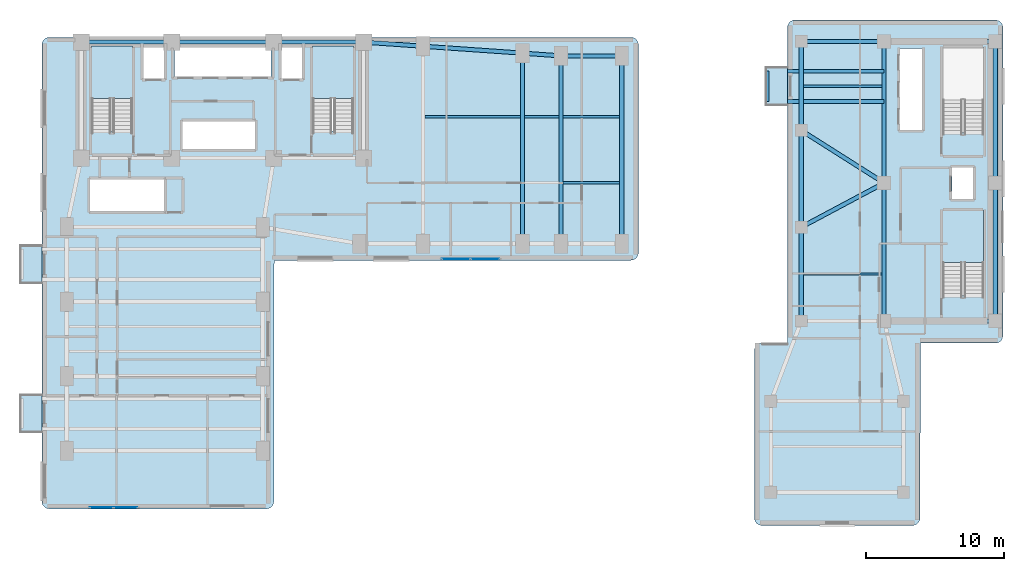
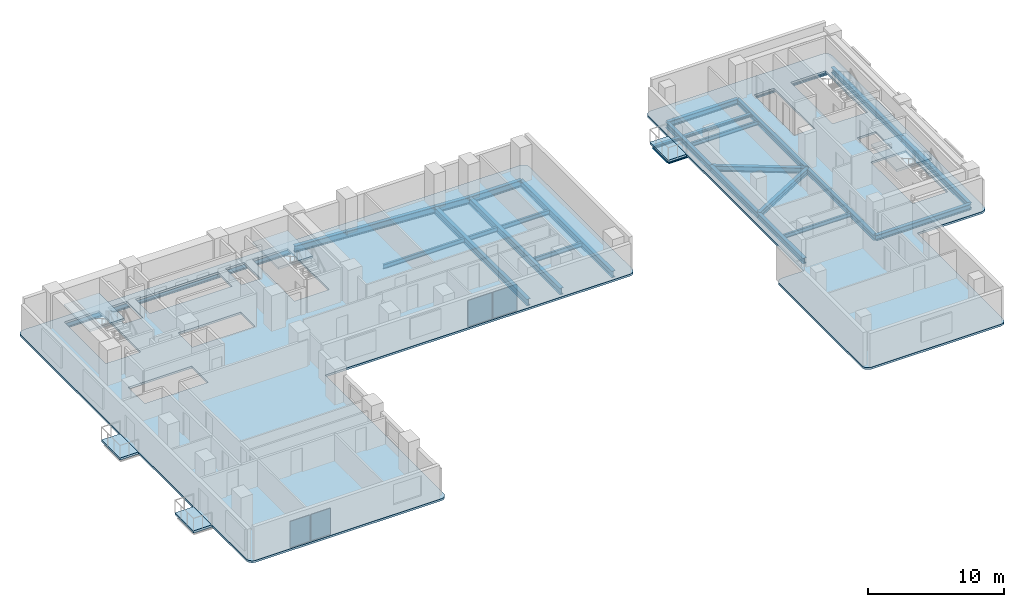
# One storey, part 7 of 15: 31 beams, 8 slabs, 4 plates, 5 elements without a shape of their own.
"""IFC4 building model written with IfcOpenShell, lengths in metres."""

import ifcopenshell
import ifcopenshell.guid

model = None  # the IFC model being written
_history = None  # IfcOwnerHistory: only IFC2X3 demands one
_inside = {}  # id of a spatial element -> (the spatial element, [elements in it])
_under = {}  # id of a project, library or spatial element -> (it, [spatial elements below it])
_declared = {}  # id of a project -> (the project, [libraries it declares])
_typed = {}  # id of a type object -> (the type object, [elements of that type])
_made_of = {}  # id of a material, layer set ... -> (it, [elements and type objects made of it])


def new_model(schema):
    """Start an empty IFC model of exactly this schema.

    Asked for "IFC4X3", IfcOpenShell would pick the latest addendum, in which some entities
    have other attributes; the version numbers below select the first issue.
    IFC2X3 requires an IfcOwnerHistory on every rooted entity: one is made here for all.
    """
    global model, _history
    if schema == "IFC4X3":
        model = ifcopenshell.file(schema_version=(4, 3, 0, 0))
    else:
        model = ifcopenshell.file(schema=schema)
    _inside.clear()
    _under.clear()
    _declared.clear()
    _typed.clear()
    _made_of.clear()
    _history = None
    if model.schema == "IFC2X3":
        org = make("IfcOrganization", Name="unknown")
        user = make(
            "IfcPersonAndOrganization",
            ThePerson=make("IfcPerson", FamilyName="unknown"),
            TheOrganization=org,
        )
        app = make(
            "IfcApplication",
            ApplicationDeveloper=org,
            Version="unknown",
            ApplicationFullName="unknown",
            ApplicationIdentifier="unknown",
        )
        _history = make(
            "IfcOwnerHistory",
            OwningUser=user,
            OwningApplication=app,
            ChangeAction="ADDED",
            CreationDate=0,
        )
    return model


def make(cls, **values):
    """One entity of the class cls with the attributes given. An attribute that is None is left unset."""
    return model.create_entity(
        cls, **{name: value for name, value in values.items() if value is not None}
    )


def rooted(cls, **values):
    """An entity with a GlobalId (a new one), such as an element, a storey or a relation."""
    return make(cls, GlobalId=ifcopenshell.guid.new(), OwnerHistory=_history, **values)


def si_unit(unit_type, name, prefix=None):
    """IfcSIUnit, for example si_unit("LENGTHUNIT", "METRE", prefix="MILLI")."""
    return make("IfcSIUnit", UnitType=unit_type, Prefix=prefix, Name=name)


def assignment(units):
    """IfcUnitAssignment: the units of a project."""
    return None if units is None else make("IfcUnitAssignment", Units=units)


def point(xyz):
    """IfcCartesianPoint."""
    return None if xyz is None else make("IfcCartesianPoint", Coordinates=xyz)


def direction(xyz):
    """IfcDirection."""
    return None if xyz is None else make("IfcDirection", DirectionRatios=xyz)


def frame(location, z_axis=None, x_axis=None):
    """IfcAxis2Placement3D, a coordinate frame: its origin and axes. An axis left out is left unset."""
    return make(
        "IfcAxis2Placement3D",
        Location=point(location),
        Axis=direction(z_axis),
        RefDirection=direction(x_axis),
    )


def frame_2d(location, x_axis=None):
    """IfcAxis2Placement2D, a coordinate frame in the plane: its origin and x axis."""
    return make(
        "IfcAxis2Placement2D", Location=point(location), RefDirection=direction(x_axis)
    )


def origin():
    """The frame at (0, 0, 0) with its axes left unset."""
    return frame((0.0, 0.0, 0.0))


def origin_2d():
    """The frame at (0, 0) in the plane with its x axis left unset."""
    return frame_2d((0.0, 0.0))


def place(relative_to, where):
    """IfcLocalPlacement: puts the frame where relative to a parent placement (None: the world)."""
    return make(
        "IfcLocalPlacement", PlacementRelTo=relative_to, RelativePlacement=where
    )


def context(
    kind, dimensions, precision=None, world=None, true_north=None, identifier=None
):
    """IfcGeometricRepresentationContext, for example the 3D "Model" context."""
    return make(
        "IfcGeometricRepresentationContext",
        ContextIdentifier=identifier,
        ContextType=kind,
        CoordinateSpaceDimension=dimensions,
        Precision=precision,
        WorldCoordinateSystem=world,
        TrueNorth=true_north,
    )


def subcontext(parent, identifier, kind, view, scale=None):
    """IfcGeometricRepresentationSubContext, for example "Body" below "Model"."""
    return make(
        "IfcGeometricRepresentationSubContext",
        ContextIdentifier=identifier,
        ContextType=kind,
        ParentContext=parent,
        TargetScale=scale,
        TargetView=view,
    )


def project(units=None, contexts=None):
    """IfcProject with its units and contexts."""
    return rooted(
        "IfcProject",
        Name="project",
        RepresentationContexts=contexts,
        UnitsInContext=assignment(units),
    )


def spatial(cls, under=None, at=None, **own):
    """A site, building, storey or space (cls), placed at a placement, below another one or the project."""
    s = rooted(cls, ObjectPlacement=at, **own)
    if under is not None:
        _under.setdefault(under.id(), (under, []))[1].append(s)
    return s


def polyline(points):
    """IfcPolyline through the points."""
    return make("IfcPolyline", Points=[point(p) for p in points])


def profile(cls, at=None, kind="AREA", **sizes):
    """A parametric profile (cls). Its sizes go by their IFC names, for example OverallWidth=200.0."""
    return make(cls, ProfileType=kind, Position=at, **sizes)


def rectangle(**sizes):
    """IfcRectangleProfileDef."""
    return profile("IfcRectangleProfileDef", **sizes)


def i_section(**sizes):
    """IfcIShapeProfileDef."""
    return profile("IfcIShapeProfileDef", **sizes)


def outline(outer, holes=None, kind="AREA"):
    """IfcArbitraryClosedProfileDef: a profile drawn as a closed curve; with holes, ...WithVoids."""
    if holes is None:
        return make("IfcArbitraryClosedProfileDef", ProfileType=kind, OuterCurve=outer)
    return make(
        "IfcArbitraryProfileDefWithVoids",
        ProfileType=kind,
        OuterCurve=outer,
        InnerCurves=holes,
    )


def extrude(swept, where, along, depth):
    """IfcExtrudedAreaSolid: the profile swept, set in the frame where, extruded along a direction by depth."""
    return make(
        "IfcExtrudedAreaSolid",
        SweptArea=swept,
        Position=where,
        ExtrudedDirection=direction(along),
        Depth=depth,
    )


def shape(context_of_items, identifier, shape_type, items):
    """IfcShapeRepresentation: the items that make up one representation, for example the "Body"."""
    return make(
        "IfcShapeRepresentation",
        ContextOfItems=context_of_items,
        RepresentationIdentifier=identifier,
        RepresentationType=shape_type,
        Items=items,
    )


def material(Name=None, Category=None):
    """IfcMaterial."""
    return make("IfcMaterial", Name=Name, Category=Category)


def layer(
    of_material, thickness, ventilated=None, Name=None, Category=None, Priority=None
):
    """IfcMaterialLayer: one layer of a wall or slab, of a material (None: an air gap)."""
    return make(
        "IfcMaterialLayer",
        Material=of_material,
        LayerThickness=thickness,
        IsVentilated=ventilated,
        Name=Name,
        Category=Category,
        Priority=Priority,
    )


def layer_set(layers, Name=None):
    """IfcMaterialLayerSet."""
    return make("IfcMaterialLayerSet", MaterialLayers=layers, LayerSetName=Name)


def material_profile(
    of_material, cross_section, Name=None, Category=None, Priority=None
):
    """IfcMaterialProfile: a cross section and its material."""
    return make(
        "IfcMaterialProfile",
        Name=Name,
        Material=of_material,
        Profile=cross_section,
        Priority=Priority,
        Category=Category,
    )


def profile_set(profiles, Name=None, composite=None):
    """IfcMaterialProfileSet."""
    return make(
        "IfcMaterialProfileSet",
        Name=Name,
        MaterialProfiles=profiles,
        CompositeProfile=composite,
    )


def made_of(thing, what):
    """Note that an element or type object is made of a material, layer set ...; save() writes the relation."""
    if what is not None:
        _made_of.setdefault(what.id(), (what, []))[1].append(thing)
    return thing


def type_object(cls, material=None, **own):
    """A type object (cls), such as IfcWallType, which elements share."""
    return made_of(rooted(cls, **own), material)


def element(
    cls,
    number,
    at=None,
    inside=None,
    cuts=None,
    type_object=None,
    material=None,
    context=None,
    identifier="Body",
    shape_type=None,
    held_by="IfcProductDefinitionShape",
    body=None,
    shapes=None,
    **own,
):
    """One element of the class cls, such as IfcWall. Its Tag is "e" and its number.

    at: its placement. inside: the storey or other place that contains it. cuts: it is an
    opening in that element (IfcRelVoidsElement). A single representation is given by context,
    identifier, shape_type and body (its items); several are given by shapes. held_by: the class
    of the entity that holds the representations. save() writes the other relations.
    """
    e = rooted(cls, Tag="e%d" % number, ObjectPlacement=at, **own)
    if body is not None:
        shapes = [shape(context, identifier, shape_type, body)]
    if shapes is not None:
        e.Representation = make(held_by, Representations=shapes)
    if inside is not None:
        _inside.setdefault(inside.id(), (inside, []))[1].append(e)
    if cuts is not None:
        rooted(
            "IfcRelVoidsElement", RelatingBuildingElement=cuts, RelatedOpeningElement=e
        )
    if type_object is not None:
        _typed.setdefault(type_object.id(), (type_object, []))[1].append(e)
    return made_of(e, material)


def aggregate(whole, parts):
    """IfcRelAggregates: a whole, such as a stair, and the parts it consists of."""
    return rooted("IfcRelAggregates", RelatingObject=whole, RelatedObjects=parts)


def save(model, path):
    """Write the relations noted so far, then the file.

    IfcRelAggregates (storeys below a building ...), IfcRelContainedInSpatialStructure (elements
    in a storey), IfcRelDefinesByType, IfcRelAssociatesMaterial and IfcRelDeclares: one each for
    every whole, place, type object, material and project.
    """
    for whole, parts in _under.values():
        aggregate(whole, parts)
    for where, things in _inside.values():
        rooted(
            "IfcRelContainedInSpatialStructure",
            RelatedElements=things,
            RelatingStructure=where,
        )
    for kind, things in _typed.values():
        rooted("IfcRelDefinesByType", RelatedObjects=things, RelatingType=kind)
    for what, things in _made_of.values():
        rooted("IfcRelAssociatesMaterial", RelatedObjects=things, RelatingMaterial=what)
    for by, libraries in _declared.values():
        rooted("IfcRelDeclares", RelatingContext=by, RelatedDefinitions=libraries)
    model.write(path)


model = new_model("IFC4")

# Units and contexts
model_context = context("Model", 3, precision=1e-05, world=origin(), true_north=direction((0.0, 1.0)))
body_context = subcontext(model_context, "Body", "Model", "MODEL_VIEW")
ifc_project = project(units=[si_unit("LENGTHUNIT", "METRE"), si_unit("AREAUNIT", "SQUARE_METRE"), si_unit("VOLUMEUNIT", "CUBIC_METRE"), si_unit("PLANEANGLEUNIT", "RADIAN"), si_unit("MASSUNIT", "GRAM", prefix="KILO")], contexts=[model_context])

# Site, building, storey
site_placement = place(None, origin())
site = spatial("IfcSite", under=ifc_project, at=site_placement, CompositionType="ELEMENT")
building_placement = place(site_placement, origin())
building = spatial("IfcBuilding", under=site, at=building_placement, Name="Kuzgunbayir Cultural Tower", CompositionType="ELEMENT")
storey_placement = place(building_placement, frame((0.0, 0.0, 59.60009765625)))
storey = spatial("IfcBuildingStorey", under=building, at=storey_placement, Name="L16", CompositionType="ELEMENT", Elevation=59.60009765625)

# Beams
ifc_material_1 = material(Name="Steel S355J2", Category="steel")
ifc_material_profile_1 = material_profile(ifc_material_1, i_section(OverallWidth=0.260009765625, OverallDepth=0.260009765625, WebThickness=0.010009765625, FlangeThickness=0.017578125, FilletRadius=0.02392578125, at=origin_2d()), Name="HEB 260")
ifc_profile_set_1 = profile_set([ifc_material_profile_1], Name="Steel S355J2")
beam_type_1 = type_object("IfcBeamType", Name="BM-BAL-HEB260", PredefinedType="BEAM", material=ifc_profile_set_1)
for number, where, z_axis, x_axis, name in (
    (1, (56.159912109375, 37.89990234375, -0.330078125), (1.0, 0.0, 0.0), (0.0, 1.0, 0.0), "L16 Companion Balcony Outrigger BAL-L16-T2W3.1"),
    (2, (56.159912109375, 40.10009765625, -0.330078125), (1.0, 0.0, 0.0), (0.0, 1.0, 0.0), "L16 Companion Balcony Outrigger BAL-L16-T2W3.2"),
):
    element("IfcBeam", number, at=place(storey_placement, frame(where, z_axis=z_axis, x_axis=x_axis)), inside=storey, type_object=beam_type_1, Name=name, PredefinedType="BEAM", context=body_context, shape_type="SweptSolid", body=[
        extrude(i_section(OverallWidth=0.260009765625, OverallDepth=0.260009765625, WebThickness=0.010009765625, FlangeThickness=0.017578125, FilletRadius=0.02392578125, at=origin_2d()), origin(), (0.0, 0.0, 1.0), 8.440185546875),
    ])
ifc_material_profile_2 = material_profile(ifc_material_1, i_section(OverallWidth=0.199951171875, OverallDepth=0.199951171875, WebThickness=0.009033203125, FlangeThickness=0.014892578125, FilletRadius=0.01806640625, at=origin_2d()), Name="HEB 200")
ifc_profile_set_2 = profile_set([ifc_material_profile_2], Name="Steel S355J2")
beam_type_2 = type_object("IfcBeamType", Name="BM-CAN-HEB200", PredefinedType="BEAM", material=ifc_profile_set_2)
beam_1_placement = place(storey_placement, frame((56.159912109375, 37.89990234375, -0.300048828125), z_axis=(0.0, 1.0, 0.0), x_axis=(-1.0, 0.0, 0.0)))
element("IfcBeam", 3, at=beam_1_placement, inside=storey, type_object=beam_type_2, Name="L16 Companion Balcony Header BAL-L16-T2W3", PredefinedType="BEAM", context=body_context, shape_type="SweptSolid", body=[
    extrude(i_section(OverallWidth=0.199951171875, OverallDepth=0.199951171875, WebThickness=0.009033203125, FlangeThickness=0.014892578125, FilletRadius=0.01806640625, at=origin_2d()), origin(), (0.0, 0.0, 1.0), 2.2001953125),
])
ifc_material_profile_3 = material_profile(ifc_material_1, i_section(OverallWidth=0.300048828125, OverallDepth=0.5, WebThickness=0.014404296875, FlangeThickness=0.028076171875, FilletRadius=0.027099609375, at=origin_2d()), Name="HEB 500")
ifc_profile_set_3 = profile_set([ifc_material_profile_3], Name="Steel S355J2")
beam_type_3 = type_object("IfcBeamType", Name="BM-EXT-HEB500", PredefinedType="BEAM", material=ifc_profile_set_3)
beam_2_placement = place(storey_placement, frame((58.60009765625, 22.0, -0.43017578125), z_axis=(0.0, 1.0, 0.0), x_axis=(-1.0, 0.0, 0.0)))
element("IfcBeam", 4, at=beam_2_placement, inside=storey, type_object=beam_type_3, Name="L16 Companion West Girder", PredefinedType="BEAM", context=body_context, shape_type="SweptSolid", body=[
    extrude(i_section(OverallWidth=0.300048828125, OverallDepth=0.5, WebThickness=0.014404296875, FlangeThickness=0.028076171875, FilletRadius=0.027099609375, at=origin_2d()), origin(), (0.0, 0.0, 1.0), 6.800048828125),
])
beam_3_placement = place(storey_placement, frame((58.60009765625, 28.800048828125, -0.43017578125), z_axis=(0.0, 1.0, 0.0), x_axis=(-1.0, 0.0, 0.0)))
element("IfcBeam", 5, at=beam_3_placement, inside=storey, type_object=beam_type_3, Name="L16 Companion West Girder", PredefinedType="BEAM", context=body_context, shape_type="SweptSolid", body=[
    extrude(i_section(OverallWidth=0.300048828125, OverallDepth=0.5, WebThickness=0.014404296875, FlangeThickness=0.028076171875, FilletRadius=0.027099609375, at=origin_2d()), origin(), (0.0, 0.0, 1.0), 7.0),
])
beam_4_placement = place(storey_placement, frame((58.60009765625, 35.800048828125, -0.43017578125), z_axis=(0.0, 1.0, 0.0), x_axis=(-1.0, 0.0, 0.0)))
element("IfcBeam", 6, at=beam_4_placement, inside=storey, type_object=beam_type_3, Name="L16 Companion West Girder", PredefinedType="BEAM", context=body_context, shape_type="SweptSolid", body=[
    extrude(i_section(OverallWidth=0.300048828125, OverallDepth=0.5, WebThickness=0.014404296875, FlangeThickness=0.028076171875, FilletRadius=0.027099609375, at=origin_2d()), origin(), (0.0, 0.0, 1.0), 6.449951171875),
])
ifc_material_profile_4 = material_profile(ifc_material_1, i_section(OverallWidth=0.300048828125, OverallDepth=0.60009765625, WebThickness=0.015380859375, FlangeThickness=0.030029296875, FilletRadius=0.027099609375, at=origin_2d()), Name="HEB 600")
ifc_profile_set_4 = profile_set([ifc_material_profile_4], Name="Steel S355J2")
beam_type_4 = type_object("IfcBeamType", Name="BM-EXT-HEB600", PredefinedType="BEAM", material=ifc_profile_set_4)
beam_5_placement = place(storey_placement, frame((26.89990234375, 42.199951171875, -0.47998046875), z_axis=(0.997574369175, -0.069608749203, 0.0), x_axis=(0.069608749203, 0.997574369175, 0.0)))
element("IfcBeam", 7, at=beam_5_placement, inside=storey, type_object=beam_type_4, Name="L16 Wing B North Girder 1", PredefinedType="BEAM", context=body_context, shape_type="SweptSolid", body=[
    extrude(i_section(OverallWidth=0.300048828125, OverallDepth=0.60009765625, WebThickness=0.015380859375, FlangeThickness=0.030029296875, FilletRadius=0.027099609375, at=origin_2d()), origin(), (0.0, 0.0, 1.0), 4.310546875),
])
beam_6_placement = place(storey_placement, frame((31.199951171875, 41.89990234375, -0.47998046875), z_axis=(0.997597388498, -0.069278066245, 0.0), x_axis=(0.069278066245, 0.997597388498, 0.0)))
element("IfcBeam", 8, at=beam_6_placement, inside=storey, type_object=beam_type_4, Name="L16 Wing B North Girder 2", PredefinedType="BEAM", context=body_context, shape_type="SweptSolid", body=[
    extrude(i_section(OverallWidth=0.300048828125, OverallDepth=0.60009765625, WebThickness=0.015380859375, FlangeThickness=0.030029296875, FilletRadius=0.027099609375, at=origin_2d()), origin(), (0.0, 0.0, 1.0), 7.21728515625),
])
beam_7_placement = place(storey_placement, frame((38.39990234375, 41.39990234375, -0.47998046875), z_axis=(0.997460024076, -0.071228508128, 0.0), x_axis=(0.071228508128, 0.997460024076, 0.0)))
element("IfcBeam", 9, at=beam_7_placement, inside=storey, type_object=beam_type_4, Name="L16 Wing B North Girder 3", PredefinedType="BEAM", context=body_context, shape_type="SweptSolid", body=[
    extrude(i_section(OverallWidth=0.300048828125, OverallDepth=0.60009765625, WebThickness=0.015380859375, FlangeThickness=0.030029296875, FilletRadius=0.027099609375, at=origin_2d()), origin(), (0.0, 0.0, 1.0), 2.80712890625),
])
beam_8_placement = place(storey_placement, frame((41.199951171875, 41.199951171875, -0.47998046875), z_axis=(1.0, 0.0, 0.0), x_axis=(0.0, 1.0, 0.0)))
element("IfcBeam", 10, at=beam_8_placement, inside=storey, type_object=beam_type_4, Name="L16 Wing B North Girder 4", PredefinedType="BEAM", context=body_context, shape_type="SweptSolid", body=[
    extrude(i_section(OverallWidth=0.300048828125, OverallDepth=0.60009765625, WebThickness=0.015380859375, FlangeThickness=0.030029296875, FilletRadius=0.027099609375, at=origin_2d()), origin(), (0.0, 0.0, 1.0), 4.400146484375),
])
ifc_material_profile_5 = material_profile(ifc_material_1, i_section(OverallWidth=0.300048828125, OverallDepth=0.5, WebThickness=0.014404296875, FlangeThickness=0.028076171875, FilletRadius=0.027099609375, at=origin_2d()), Name="HEB 500")
ifc_profile_set_5 = profile_set([ifc_material_profile_5], Name="Steel S355J2")
beam_type_5 = type_object("IfcBeamType", Name="BM-GIR-HEB500", PredefinedType="BEAM", material=ifc_profile_set_5)
beam_9_placement = place(storey_placement, frame((58.60009765625, 28.800048828125, -0.43017578125), z_axis=(0.882355922736, 0.470582644828, 0.0), x_axis=(-0.470582644828, 0.882355922736, 0.0)))
element("IfcBeam", 11, at=beam_9_placement, inside=storey, type_object=beam_type_5, Name="L16 Companion Transverse Girder 2", PredefinedType="BEAM", context=body_context, shape_type="SweptSolid", body=[
    extrude(i_section(OverallWidth=0.300048828125, OverallDepth=0.5, WebThickness=0.014404296875, FlangeThickness=0.028076171875, FilletRadius=0.027099609375, at=origin_2d()), origin(), (0.0, 0.0, 1.0), 6.800048828125),
])
beam_10_placement = place(storey_placement, frame((58.60009765625, 35.800048828125, -0.43017578125), z_axis=(0.844815967829, -0.535056988088, 0.0), x_axis=(0.535056988088, 0.844815967829, 0.0)))
element("IfcBeam", 12, at=beam_10_placement, inside=storey, type_object=beam_type_5, Name="L16 Companion Transverse Girder 3", PredefinedType="BEAM", context=body_context, shape_type="SweptSolid", body=[
    extrude(i_section(OverallWidth=0.300048828125, OverallDepth=0.5, WebThickness=0.014404296875, FlangeThickness=0.028076171875, FilletRadius=0.027099609375, at=origin_2d()), origin(), (0.0, 0.0, 1.0), 7.10205078125),
])
beam_11_placement = place(storey_placement, frame((58.60009765625, 42.25, -0.43017578125), z_axis=(1.0, 0.0, 0.0), x_axis=(0.0, 1.0, 0.0)))
element("IfcBeam", 13, at=beam_11_placement, inside=storey, type_object=beam_type_5, Name="L16 Companion Transverse Girder 4", PredefinedType="BEAM", context=body_context, shape_type="SweptSolid", body=[
    extrude(i_section(OverallWidth=0.300048828125, OverallDepth=0.5, WebThickness=0.014404296875, FlangeThickness=0.028076171875, FilletRadius=0.027099609375, at=origin_2d()), origin(), (0.0, 0.0, 1.0), 6.0),
])
beam_12_placement = place(storey_placement, frame((64.60009765625, 22.0, -0.43017578125), z_axis=(0.0, 1.0, 0.0), x_axis=(-1.0, 0.0, 0.0)))
element("IfcBeam", 14, at=beam_12_placement, inside=storey, type_object=beam_type_5, Name="L16 Companion Core West Girder 1", PredefinedType="BEAM", context=body_context, shape_type="SweptSolid", body=[
    extrude(i_section(OverallWidth=0.300048828125, OverallDepth=0.5, WebThickness=0.014404296875, FlangeThickness=0.028076171875, FilletRadius=0.027099609375, at=origin_2d()), origin(), (0.0, 0.0, 1.0), 10.0),
])
beam_13_placement = place(storey_placement, frame((64.60009765625, 32.0, -0.43017578125), z_axis=(0.0, 1.0, 0.0), x_axis=(-1.0, 0.0, 0.0)))
element("IfcBeam", 15, at=beam_13_placement, inside=storey, type_object=beam_type_5, Name="L16 Companion Core West Girder 2", PredefinedType="BEAM", context=body_context, shape_type="SweptSolid", body=[
    extrude(i_section(OverallWidth=0.300048828125, OverallDepth=0.5, WebThickness=0.014404296875, FlangeThickness=0.028076171875, FilletRadius=0.027099609375, at=origin_2d()), origin(), (0.0, 0.0, 1.0), 10.25),
])
beam_14_placement = place(storey_placement, frame((72.64990234375, 22.0, -0.43017578125), z_axis=(0.0, 1.0, 0.0), x_axis=(-1.0, 0.0, 0.0)))
element("IfcBeam", 16, at=beam_14_placement, inside=storey, type_object=beam_type_5, Name="L16 Companion Core East Girder 1", PredefinedType="BEAM", context=body_context, shape_type="SweptSolid", body=[
    extrude(i_section(OverallWidth=0.300048828125, OverallDepth=0.5, WebThickness=0.014404296875, FlangeThickness=0.028076171875, FilletRadius=0.027099609375, at=origin_2d()), origin(), (0.0, 0.0, 1.0), 10.0),
])
beam_15_placement = place(storey_placement, frame((72.64990234375, 32.0, -0.43017578125), z_axis=(0.0, 1.0, 0.0), x_axis=(-1.0, 0.0, 0.0)))
element("IfcBeam", 17, at=beam_15_placement, inside=storey, type_object=beam_type_5, Name="L16 Companion Core East Girder 2", PredefinedType="BEAM", context=body_context, shape_type="SweptSolid", body=[
    extrude(i_section(OverallWidth=0.300048828125, OverallDepth=0.5, WebThickness=0.014404296875, FlangeThickness=0.028076171875, FilletRadius=0.027099609375, at=origin_2d()), origin(), (0.0, 0.0, 1.0), 10.25),
])
for number, where, z_axis, x_axis, name in (
    (18, (64.60009765625, 22.0, -0.43017578125), (1.0, 0.0, 0.0), (0.0, 1.0, 0.0), "L16 Companion Core South Girder"),
    (19, (64.60009765625, 42.25, -0.43017578125), (1.0, 0.0, 0.0), (0.0, 1.0, 0.0), "L16 Companion Core North Girder"),
):
    element("IfcBeam", number, at=place(storey_placement, frame(where, z_axis=z_axis, x_axis=x_axis)), inside=storey, type_object=beam_type_5, Name=name, PredefinedType="BEAM", context=body_context, shape_type="SweptSolid", body=[
        extrude(i_section(OverallWidth=0.300048828125, OverallDepth=0.5, WebThickness=0.014404296875, FlangeThickness=0.028076171875, FilletRadius=0.027099609375, at=origin_2d()), origin(), (0.0, 0.0, 1.0), 8.0498046875),
    ])
ifc_material_profile_6 = material_profile(ifc_material_1, i_section(OverallWidth=0.300048828125, OverallDepth=0.60009765625, WebThickness=0.015380859375, FlangeThickness=0.030029296875, FilletRadius=0.027099609375, at=origin_2d()), Name="HEB 600")
ifc_profile_set_6 = profile_set([ifc_material_profile_6], Name="Steel S355J2")
beam_type_6 = type_object("IfcBeamType", Name="BM-GIR-HEB600", PredefinedType="BEAM", material=ifc_profile_set_6)
beam_16_placement = place(storey_placement, frame((6.449951171875, 42.199951171875, -0.47998046875), z_axis=(1.0, 0.0, 0.0), x_axis=(0.0, 1.0, 0.0)))
element("IfcBeam", 20, at=beam_16_placement, inside=storey, type_object=beam_type_6, Name="L16 Core North Girder 1", PredefinedType="BEAM", context=body_context, shape_type="SweptSolid", body=[
    extrude(i_section(OverallWidth=0.300048828125, OverallDepth=0.60009765625, WebThickness=0.015380859375, FlangeThickness=0.030029296875, FilletRadius=0.027099609375, at=origin_2d()), origin(), (0.0, 0.0, 1.0), 6.550048828125),
])
beam_17_placement = place(storey_placement, frame((13.0, 42.199951171875, -0.47998046875), z_axis=(1.0, 0.0, 0.0), x_axis=(0.0, 1.0, 0.0)))
element("IfcBeam", 21, at=beam_17_placement, inside=storey, type_object=beam_type_6, Name="L16 Core North Girder 2", PredefinedType="BEAM", context=body_context, shape_type="SweptSolid", body=[
    extrude(i_section(OverallWidth=0.300048828125, OverallDepth=0.60009765625, WebThickness=0.015380859375, FlangeThickness=0.030029296875, FilletRadius=0.027099609375, at=origin_2d()), origin(), (0.0, 0.0, 1.0), 7.39990234375),
])
beam_18_placement = place(storey_placement, frame((20.39990234375, 42.199951171875, -0.47998046875), z_axis=(1.0, 0.0, 0.0), x_axis=(0.0, 1.0, 0.0)))
element("IfcBeam", 22, at=beam_18_placement, inside=storey, type_object=beam_type_6, Name="L16 Core North Girder 3", PredefinedType="BEAM", context=body_context, shape_type="SweptSolid", body=[
    extrude(i_section(OverallWidth=0.300048828125, OverallDepth=0.60009765625, WebThickness=0.015380859375, FlangeThickness=0.030029296875, FilletRadius=0.027099609375, at=origin_2d()), origin(), (0.0, 0.0, 1.0), 6.5),
])
beam_19_placement = place(storey_placement, frame((38.39990234375, 27.60009765625, -0.47998046875), z_axis=(0.0, 1.0, 0.0), x_axis=(-1.0, 0.0, 0.0)))
element("IfcBeam", 23, at=beam_19_placement, inside=storey, type_object=beam_type_6, Name="L16 Wing B Cross Girder 38", PredefinedType="BEAM", context=body_context, shape_type="SweptSolid", body=[
    extrude(i_section(OverallWidth=0.300048828125, OverallDepth=0.60009765625, WebThickness=0.015380859375, FlangeThickness=0.030029296875, FilletRadius=0.027099609375, at=origin_2d()), origin(), (0.0, 0.0, 1.0), 13.7998046875),
])
for number, where, z_axis, x_axis, name in (
    (24, (41.199951171875, 27.60009765625, -0.47998046875), (0.0, 1.0, 0.0), (-1.0, 0.0, 0.0), "L16 Wing B Cross Girder 41"),
    (25, (45.60009765625, 27.60009765625, -0.47998046875), (0.0, 1.0, 0.0), (-1.0, 0.0, 0.0), "L16 Wing B Cross Girder 45"),
):
    element("IfcBeam", number, at=place(storey_placement, frame(where, z_axis=z_axis, x_axis=x_axis)), inside=storey, type_object=beam_type_6, Name=name, PredefinedType="BEAM", context=body_context, shape_type="SweptSolid", body=[
        extrude(i_section(OverallWidth=0.300048828125, OverallDepth=0.60009765625, WebThickness=0.015380859375, FlangeThickness=0.030029296875, FilletRadius=0.027099609375, at=origin_2d()), origin(), (0.0, 0.0, 1.0), 13.599853515625),
    ])
ifc_material_profile_7 = material_profile(ifc_material_1, i_section(OverallWidth=0.169921875, OverallDepth=0.360107421875, WebThickness=0.008056640625, FlangeThickness=0.0126953125, FilletRadius=0.01806640625, at=origin_2d()), Name="IPE 360")
ifc_profile_set_7 = profile_set([ifc_material_profile_7], Name="Steel S355J2")
beam_type_7 = type_object("IfcBeamType", Name="BM-JST-IPE360", PredefinedType="JOIST", material=ifc_profile_set_7)
for number, where, z_axis, x_axis, name in (
    (26, (58.75, 25.39990234375, -0.360107421875), (1.0, 0.0, 0.0), (0.0, 1.0, 0.0), "L16 Companion Joist"),
    (27, (58.75, 39.0, -0.360107421875), (1.0, 0.0, 0.0), (0.0, 1.0, 0.0), "L16 Companion Joist"),
):
    element("IfcBeam", number, at=place(storey_placement, frame(where, z_axis=z_axis, x_axis=x_axis)), inside=storey, type_object=beam_type_7, Name=name, PredefinedType="JOIST", context=body_context, shape_type="SweptSolid", body=[
        extrude(i_section(OverallWidth=0.169921875, OverallDepth=0.360107421875, WebThickness=0.008056640625, FlangeThickness=0.0126953125, FilletRadius=0.01806640625, at=origin_2d()), origin(), (0.0, 0.0, 1.0), 5.699951171875),
    ])
ifc_material_profile_8 = material_profile(ifc_material_1, i_section(OverallWidth=0.179931640625, OverallDepth=0.39990234375, WebThickness=0.008544921875, FlangeThickness=0.013427734375, FilletRadius=0.02099609375, at=origin_2d()), Name="IPE 400")
ifc_profile_set_8 = profile_set([ifc_material_profile_8], Name="Steel S355J2")
beam_type_8 = type_object("IfcBeamType", Name="BM-JST-IPE400", PredefinedType="JOIST", material=ifc_profile_set_8)
beam_20_placement = place(storey_placement, frame((31.35009765625, 36.800048828125, -0.380126953125), z_axis=(1.0, 0.0, 0.0), x_axis=(0.0, 1.0, 0.0)))
element("IfcBeam", 28, at=beam_20_placement, inside=storey, type_object=beam_type_8, Name="L16 Wing B Secondary Joist 1.2", PredefinedType="JOIST", context=body_context, shape_type="SweptSolid", body=[
    extrude(i_section(OverallWidth=0.179931640625, OverallDepth=0.39990234375, WebThickness=0.008544921875, FlangeThickness=0.013427734375, FilletRadius=0.02099609375, at=origin_2d()), origin(), (0.0, 0.0, 1.0), 6.89990234375),
])
beam_21_placement = place(storey_placement, frame((38.550048828125, 36.800048828125, -0.380126953125), z_axis=(1.0, 0.0, 0.0), x_axis=(0.0, 1.0, 0.0)))
element("IfcBeam", 29, at=beam_21_placement, inside=storey, type_object=beam_type_8, Name="L16 Wing B Secondary Joist 2.2", PredefinedType="JOIST", context=body_context, shape_type="SweptSolid", body=[
    extrude(i_section(OverallWidth=0.179931640625, OverallDepth=0.39990234375, WebThickness=0.008544921875, FlangeThickness=0.013427734375, FilletRadius=0.02099609375, at=origin_2d()), origin(), (0.0, 0.0, 1.0), 2.5),
])
for number, where, z_axis, x_axis, name in (
    (30, (41.35009765625, 32.0, -0.380126953125), (1.0, 0.0, 0.0), (0.0, 1.0, 0.0), "L16 Wing B Secondary Joist 3.1"),
    (31, (41.35009765625, 36.800048828125, -0.380126953125), (1.0, 0.0, 0.0), (0.0, 1.0, 0.0), "L16 Wing B Secondary Joist 3.2"),
):
    element("IfcBeam", number, at=place(storey_placement, frame(where, z_axis=z_axis, x_axis=x_axis)), inside=storey, type_object=beam_type_8, Name=name, PredefinedType="JOIST", context=body_context, shape_type="SweptSolid", body=[
        extrude(i_section(OverallWidth=0.179931640625, OverallDepth=0.39990234375, WebThickness=0.008544921875, FlangeThickness=0.013427734375, FilletRadius=0.02099609375, at=origin_2d()), origin(), (0.0, 0.0, 1.0), 4.099853515625),
    ])

# Curtain wall, plates
ifc_material_2 = material(Name="Anodised Aluminium Framing", Category="aluminium")
curtain_wall_type = type_object("IfcCurtainWallType", Name="CW03-T1-OFFICE", PredefinedType="NOTDEFINED", material=ifc_material_2)
curtain_wall_1_placement = place(storey_placement, origin())
curtain_wall_1 = element("IfcCurtainWall", 32, at=curtain_wall_1_placement, inside=storey, type_object=curtain_wall_type, Name="L16 Wing A South Feature Curtain Wall", PredefinedType="NOTDEFINED")
ifc_material_3 = material(Name="Solar-Control Triple Glazing", Category="glass")
ifc_layer_1 = layer(ifc_material_3, 0.035888671875)
ifc_layer_set_1 = layer_set([ifc_layer_1], Name="Solar-Control Triple Glazing")
plate_type = type_object("IfcPlateType", Name="PLT-CW-GLASS-36", PredefinedType="CURTAIN_PANEL", material=ifc_layer_set_1)
plate_1_placement = place(storey_placement, frame((7.918701171875, 8.47998046875, 0.059814453125), z_axis=(0.0, 0.0, 1.0), x_axis=(1.0, 0.0, 0.0)))
plate_1 = element("IfcPlate", 33, at=plate_1_placement, type_object=plate_type, Name="CW03 panel 1.1", PredefinedType="CURTAIN_PANEL", context=body_context, shape_type="SweptSolid", body=[
    extrude(rectangle(XDim=1.6875, YDim=0.035888671875, at=origin_2d()), origin(), (0.0, 0.0, 1.0), 2.35009765625),
])
plate_2_placement = place(storey_placement, frame((9.68115234375, 8.47998046875, 0.059814453125), z_axis=(0.0, 0.0, 1.0), x_axis=(1.0, 0.0, 0.0)))
plate_2 = element("IfcPlate", 34, at=plate_2_placement, type_object=plate_type, Name="CW03 panel 2.1", PredefinedType="CURTAIN_PANEL", context=body_context, shape_type="SweptSolid", body=[
    extrude(rectangle(XDim=1.6875, YDim=0.035888671875, at=origin_2d()), origin(), (0.0, 0.0, 1.0), 2.35009765625),
])
aggregate(curtain_wall_1, [plate_1, plate_2])

curtain_wall_2_placement = place(storey_placement, origin())
curtain_wall_2 = element("IfcCurtainWall", 35, at=curtain_wall_2_placement, inside=storey, type_object=curtain_wall_type, Name="L16 Wing B South Feature Curtain Wall", PredefinedType="NOTDEFINED")
plate_3_placement = place(storey_placement, frame((33.59375, 26.47998046875, 0.059814453125), z_axis=(0.0, 0.0, 1.0), x_axis=(1.0, 0.0, 0.0)))
plate_3 = element("IfcPlate", 36, at=plate_3_placement, type_object=plate_type, Name="CW03 panel 1.1", PredefinedType="CURTAIN_PANEL", context=body_context, shape_type="SweptSolid", body=[
    extrude(rectangle(XDim=2.03759765625, YDim=0.035888671875, at=origin_2d()), origin(), (0.0, 0.0, 1.0), 2.35009765625),
])
plate_4_placement = place(storey_placement, frame((35.706298828125, 26.47998046875, 0.059814453125), z_axis=(0.0, 0.0, 1.0), x_axis=(1.0, 0.0, 0.0)))
plate_4 = element("IfcPlate", 37, at=plate_4_placement, type_object=plate_type, Name="CW03 panel 2.1", PredefinedType="CURTAIN_PANEL", context=body_context, shape_type="SweptSolid", body=[
    extrude(rectangle(XDim=2.03759765625, YDim=0.035888671875, at=origin_2d()), origin(), (0.0, 0.0, 1.0), 2.35009765625),
])
aggregate(curtain_wall_2, [plate_3, plate_4])

# Slabs
ifc_material_4 = material(Name="Concrete C40/50", Category="concrete")
ifc_layer_2 = layer(ifc_material_4, 0.199951171875)
ifc_layer_set_2 = layer_set([ifc_layer_2], Name="Concrete C40/50")
slab_type_1 = type_object("IfcSlabType", Name="SLB-BAL-STONE", PredefinedType="FLOOR", material=ifc_layer_set_2)
slab_1_placement = place(storey_placement, frame((0.0, 0.0, -0.2001953125)))
element("IfcSlab", 38, at=slab_1_placement, inside=storey, type_object=slab_type_1, Name="L16 Projecting Limestone Balcony BAL-L16-WA1", PredefinedType="FLOOR", context=body_context, shape_type="SweptSolid", body=[
    extrude(outline(polyline([(2.0400390625, 13.949951171875), (3.60009765625, 13.949951171875), (3.60009765625, 16.64990234375), (2.0400390625, 16.64990234375), (2.0400390625, 13.949951171875)])), origin(), (0.0, 0.0, 1.0), 0.2001953125),
])
slab_2_placement = place(storey_placement, frame((0.0, 0.0, -0.2001953125)))
element("IfcSlab", 39, at=slab_2_placement, inside=storey, type_object=slab_type_1, Name="L16 Projecting Limestone Balcony BAL-L16-WA3", PredefinedType="FLOOR", context=body_context, shape_type="SweptSolid", body=[
    extrude(outline(polyline([(2.0400390625, 24.75), (3.60009765625, 24.75), (3.60009765625, 27.449951171875), (2.0400390625, 27.449951171875), (2.0400390625, 24.75)])), origin(), (0.0, 0.0, 1.0), 0.2001953125),
])
slab_3_placement = place(storey_placement, frame((0.0, 0.0, -0.2001953125)))
element("IfcSlab", 40, at=slab_3_placement, inside=storey, type_object=slab_type_1, Name="L16 Projecting Limestone Balcony BAL-L16-T2W3", PredefinedType="FLOOR", context=body_context, shape_type="SweptSolid", body=[
    extrude(outline(polyline([(56.0400390625, 37.64990234375), (57.60009765625, 37.64990234375), (57.60009765625, 40.35009765625), (56.0400390625, 40.35009765625), (56.0400390625, 37.64990234375)])), origin(), (0.0, 0.0, 1.0), 0.2001953125),
])

# Stair, slab
stair_type = type_object("IfcStairType", Name="STR-EXIT-CORE", PredefinedType="HALF_TURN_STAIR", material=ifc_material_4)
stair_1_placement = place(storey_placement, origin())
stair_1 = element("IfcStair", 41, at=stair_1_placement, inside=storey, type_object=stair_type, Name="L16 ST-1", PredefinedType="HALF_TURN_STAIR")
ifc_layer_3 = layer(ifc_material_4, 0.179931640625)
ifc_layer_set_3 = layer_set([ifc_layer_3], Name="Concrete C40/50")
slab_type_2 = type_object("IfcSlabType", Name="SLB-LANDING-180", PredefinedType="LANDING", material=ifc_layer_set_3)
slab_4_placement = place(storey_placement, frame((0.0, 0.0, 1.39990234375)))
slab_4 = element("IfcSlab", 42, at=slab_4_placement, type_object=slab_type_2, Name="ST-1 landing 1", PredefinedType="LANDING", context=body_context, shape_type="SweptSolid", body=[
    extrude(outline(polyline([(10.159912109375, 38.1201171875), (10.159912109375, 41.89990234375), (7.199951171875, 41.89990234375), (7.199951171875, 38.1201171875), (10.159912109375, 38.1201171875)])), origin(), (0.0, 0.0, 1.0), 0.199951171875),
])
aggregate(stair_1, [slab_4])

stair_2_placement = place(storey_placement, origin())
stair_2 = element("IfcStair", 43, at=stair_2_placement, inside=storey, type_object=stair_type, Name="L16 ST-2", PredefinedType="HALF_TURN_STAIR")
slab_5_placement = place(storey_placement, frame((0.0, 0.0, 1.39990234375)))
slab_5 = element("IfcSlab", 44, at=slab_5_placement, type_object=slab_type_2, Name="ST-2 landing 1", PredefinedType="LANDING", context=body_context, shape_type="SweptSolid", body=[
    extrude(outline(polyline([(26.159912109375, 38.1201171875), (26.159912109375, 41.89990234375), (23.199951171875, 41.89990234375), (23.199951171875, 38.1201171875), (26.159912109375, 38.1201171875)])), origin(), (0.0, 0.0, 1.0), 0.199951171875),
])
aggregate(stair_2, [slab_5])

stair_3_placement = place(storey_placement, origin())
stair_3 = element("IfcStair", 45, at=stair_3_placement, inside=storey, type_object=stair_type, Name="L16 ST-3", PredefinedType="HALF_TURN_STAIR")
slab_6_placement = place(storey_placement, frame((0.0, 0.0, 1.39990234375)))
slab_6 = element("IfcSlab", 46, at=slab_6_placement, type_object=slab_type_2, Name="ST-3 landing 1", PredefinedType="LANDING", context=body_context, shape_type="SweptSolid", body=[
    extrude(outline(polyline([(71.800048828125, 26.219970703125), (71.800048828125, 30.0), (68.840087890625, 30.0), (68.840087890625, 26.219970703125), (71.800048828125, 26.219970703125)])), origin(), (0.0, 0.0, 1.0), 0.199951171875),
])
aggregate(stair_3, [slab_6])

# Slabs
ifc_layer_4 = layer(ifc_material_4, 0.179931640625)
ifc_layer_set_4 = layer_set([ifc_layer_4], Name="Concrete C40/50")
slab_type_3 = type_object("IfcSlabType", Name="SLB-TYP-180", PredefinedType="FLOOR", material=ifc_layer_set_4)
slab_7_placement = place(storey_placement, frame((0.0, 0.0, -0.18017578125)))
element("IfcSlab", 47, at=slab_7_placement, inside=storey, type_object=slab_type_3, Name="L16 Tower 1 Floor Slab T1-MAIN", PredefinedType="FLOOR", context=body_context, shape_type="SweptSolid", body=[
    extrude(outline(polyline([(20.39990234375, 8.949951171875), (20.389892578125, 8.840087890625), (20.360107421875, 8.739990234375), (20.31005859375, 8.639892578125), (20.239990234375, 8.56005859375), (20.159912109375, 8.489990234375), (20.06005859375, 8.43994140625), (19.9599609375, 8.409912109375), (19.85009765625, 8.39990234375), (4.14990234375, 8.39990234375), (4.0400390625, 8.409912109375), (3.93994140625, 8.43994140625), (3.840087890625, 8.489990234375), (3.760009765625, 8.56005859375), (3.68994140625, 8.639892578125), (3.639892578125, 8.739990234375), (3.610107421875, 8.840087890625), (3.60009765625, 8.949951171875), (3.60009765625, 42.0), (3.610107421875, 42.110107421875), (3.639892578125, 42.2099609375), (3.68994140625, 42.31005859375), (3.760009765625, 42.389892578125), (3.840087890625, 42.4599609375), (3.93994140625, 42.510009765625), (4.0400390625, 42.5400390625), (4.14990234375, 42.550048828125), (46.25, 42.550048828125), (46.360107421875, 42.5400390625), (46.4599609375, 42.510009765625), (46.56005859375, 42.4599609375), (46.639892578125, 42.389892578125), (46.7099609375, 42.31005859375), (46.760009765625, 42.2099609375), (46.7900390625, 42.110107421875), (46.800048828125, 42.0), (46.800048828125, 26.949951171875), (46.7900390625, 26.840087890625), (46.760009765625, 26.739990234375), (46.7099609375, 26.639892578125), (46.639892578125, 26.56005859375), (46.56005859375, 26.489990234375), (46.4599609375, 26.43994140625), (46.360107421875, 26.409912109375), (46.25, 26.39990234375), (20.429931640625, 26.39990234375), (20.39990234375, 8.949951171875)]), holes=[polyline([(7.199951171875, 35.760009765625), (7.199951171875, 41.89990234375), (10.159912109375, 41.89990234375), (10.159912109375, 35.760009765625), (7.199951171875, 35.760009765625)]), polyline([(23.199951171875, 35.760009765625), (23.199951171875, 41.89990234375), (26.159912109375, 41.89990234375), (26.159912109375, 35.760009765625), (23.199951171875, 35.760009765625)]), polyline([(13.199951171875, 39.699951171875), (13.199951171875, 41.800048828125), (20.199951171875, 41.800048828125), (20.199951171875, 39.699951171875), (13.199951171875, 39.699951171875)]), polyline([(13.75, 34.39990234375), (13.75, 36.5), (19.080078125, 36.5), (19.080078125, 34.39990234375), (13.75, 34.39990234375)]), polyline([(7.10009765625, 29.89990234375), (7.10009765625, 32.300048828125), (12.5, 32.300048828125), (12.5, 29.89990234375), (7.10009765625, 29.89990234375)]), polyline([(10.89990234375, 39.5), (10.89990234375, 41.89990234375), (12.5, 41.89990234375), (12.5, 39.5), (10.89990234375, 39.5)]), polyline([(20.89990234375, 39.5), (20.89990234375, 41.89990234375), (22.5, 41.89990234375), (22.5, 39.5), (20.89990234375, 39.5)])]), origin(), (0.0, 0.0, 1.0), 0.18017578125),
])
slab_8_placement = place(storey_placement, frame((0.0, 0.0, -0.18017578125)))
element("IfcSlab", 48, at=slab_8_placement, inside=storey, type_object=slab_type_3, Name="L16 Companion Tower 2 Floor Slab", PredefinedType="FLOOR", context=body_context, shape_type="SweptSolid", body=[
    extrude(outline(polyline([(57.60009765625, 20.39990234375), (57.60009765625, 43.25), (57.610107421875, 43.360107421875), (57.639892578125, 43.4599609375), (57.68994140625, 43.56005859375), (57.760009765625, 43.639892578125), (57.840087890625, 43.7099609375), (57.93994140625, 43.760009765625), (58.0400390625, 43.7900390625), (58.14990234375, 43.800048828125), (72.64990234375, 43.800048828125), (72.760009765625, 43.7900390625), (72.860107421875, 43.760009765625), (72.9599609375, 43.7099609375), (73.0400390625, 43.639892578125), (73.110107421875, 43.56005859375), (73.159912109375, 43.4599609375), (73.18994140625, 43.360107421875), (73.199951171875, 43.25), (73.199951171875, 20.949951171875), (73.18994140625, 20.840087890625), (73.159912109375, 20.739990234375), (73.110107421875, 20.639892578125), (73.0400390625, 20.56005859375), (72.9599609375, 20.489990234375), (72.860107421875, 20.43994140625), (72.760009765625, 20.409912109375), (72.64990234375, 20.39990234375), (67.22998046875, 20.39990234375), (67.199951171875, 7.75), (67.18994140625, 7.639892578125), (67.159912109375, 7.5400390625), (67.110107421875, 7.43994140625), (67.0400390625, 7.360107421875), (66.9599609375, 7.2900390625), (66.860107421875, 7.239990234375), (66.760009765625, 7.2099609375), (66.64990234375, 7.199951171875), (55.75, 7.199951171875), (55.639892578125, 7.2099609375), (55.5400390625, 7.239990234375), (55.43994140625, 7.2900390625), (55.360107421875, 7.360107421875), (55.2900390625, 7.43994140625), (55.239990234375, 7.5400390625), (55.2099609375, 7.639892578125), (55.199951171875, 7.75), (55.199951171875, 19.85009765625), (55.2099609375, 19.9599609375), (55.239990234375, 20.06005859375), (55.2900390625, 20.159912109375), (55.360107421875, 20.239990234375), (55.43994140625, 20.31005859375), (55.5400390625, 20.360107421875), (55.639892578125, 20.389892578125), (55.75, 20.39990234375), (57.570068359375, 20.39990234375), (57.60009765625, 20.39990234375)]), holes=[polyline([(68.840087890625, 23.860107421875), (68.840087890625, 30.0), (71.800048828125, 30.0), (71.800048828125, 23.860107421875), (68.840087890625, 23.860107421875)]), polyline([(68.840087890625, 35.659912109375), (68.840087890625, 41.800048828125), (71.800048828125, 41.800048828125), (71.800048828125, 35.659912109375), (68.840087890625, 35.659912109375)]), polyline([(65.699951171875, 35.800048828125), (65.699951171875, 41.75), (67.39990234375, 41.75), (67.39990234375, 35.800048828125), (65.699951171875, 35.800048828125)]), polyline([(69.5, 30.800048828125), (69.5, 33.199951171875), (71.10009765625, 33.199951171875), (71.10009765625, 30.800048828125), (69.5, 30.800048828125)])]), origin(), (0.0, 0.0, 1.0), 0.18017578125),
])

save(model, "model.ifc")
